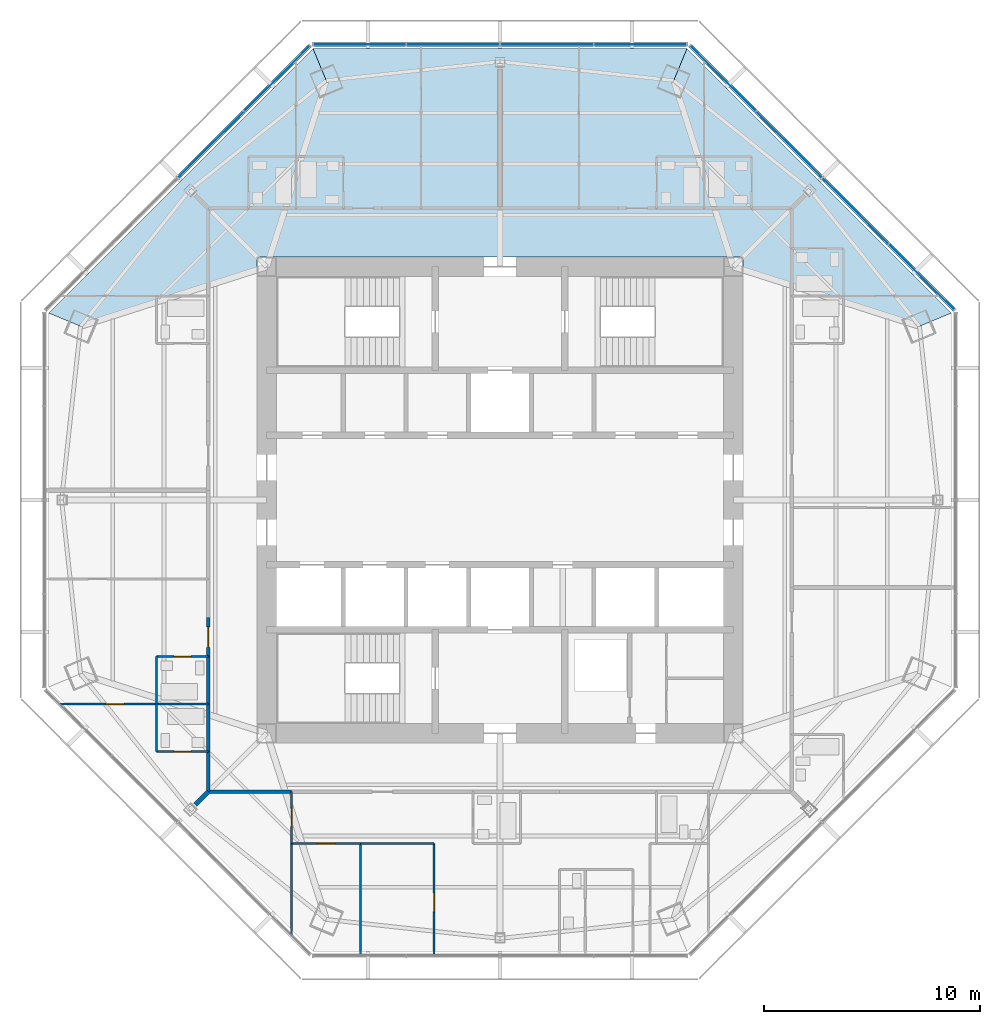
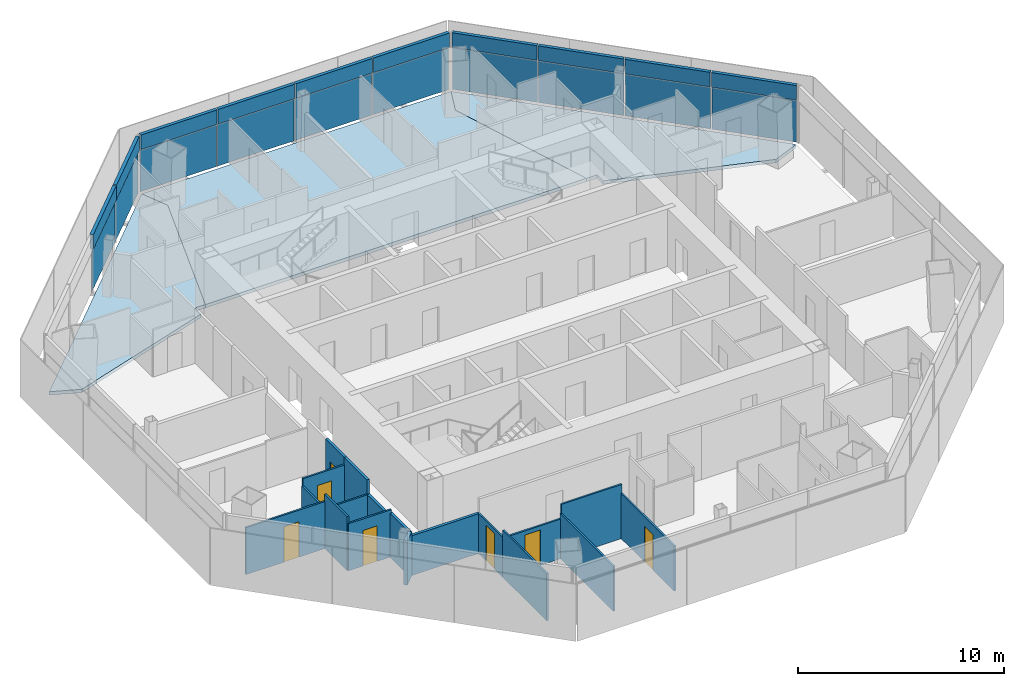
# One storey, part 8 of 14: 20 plates, 18 walls, 7 doors, 3 slabs, 7 openings, 3 elements without a shape of their own.
"""IFC4 building model written with IfcOpenShell, lengths in metres."""

from ifc_helpers import new_model, si_unit, direction, frame, frame_2d, origin, origin_2d, place, context, subcontext, project, spatial, polyline, rectangle, outline, extrude, source, transform, mapped, material, layer, layer_set, type_object, type_shapes, element, fill, aggregate, save


model = new_model("IFC4")

# Units and contexts
model_context = context("Model", 3, precision=1e-05, world=origin(), true_north=direction((0.0, 1.0)))
body_context = subcontext(model_context, "Body", "Model", "MODEL_VIEW")
ifc_project = project(units=[si_unit("LENGTHUNIT", "METRE"), si_unit("AREAUNIT", "SQUARE_METRE"), si_unit("VOLUMEUNIT", "CUBIC_METRE"), si_unit("PLANEANGLEUNIT", "RADIAN"), si_unit("MASSUNIT", "GRAM", prefix="KILO")], contexts=[model_context])

# Site, building, storey
site_placement = place(None, origin())
site = spatial("IfcSite", under=ifc_project, at=site_placement, CompositionType="ELEMENT")
building_placement = place(site_placement, origin())
building = spatial("IfcBuilding", under=site, at=building_placement, Name="Mashrafa Tower", CompositionType="ELEMENT")
storey_placement = place(building_placement, frame((0.0, 0.0, 244.800048828125)))
storey = spatial("IfcBuildingStorey", under=building, at=storey_placement, Name="L58", CompositionType="ELEMENT", Elevation=244.800048828125)

# Slabs
ifc_material_1 = material(Name="Concrete C35/45", Category="concrete")
ifc_layer_1 = layer(ifc_material_1, 0.199951171875)
ifc_layer_set_1 = layer_set([ifc_layer_1], Name="Floor slab 200")
slab_type = type_object("IfcSlabType", Name="Floor slab 200", PredefinedType="FLOOR", material=ifc_layer_set_1)
slab_1_placement = place(storey_placement, frame((0.0, 0.0, -0.199951171875)))
element("IfcSlab", 1, at=slab_1_placement, inside=storey, type_object=slab_type, Name="Floor slab L58 north-east bay", PredefinedType="FLOOR", context=body_context, shape_type="SweptSolid", body=[
    extrude(outline(polyline([(8.65283203125, 20.8896484375), (20.8896484375, 8.65283203125), (20.8896484375, 8.65283203125), (19.4169921875, 8.042724609375), (11.25, 10.656005859375), (11.25, 11.25), (10.656005859375, 11.25), (8.042724609375, 19.4169921875), (8.65283203125, 20.8896484375), (8.65283203125, 20.8896484375)])), origin(), (0.0, 0.0, 1.0), 0.199951171875),
])
slab_2_placement = place(storey_placement, frame((0.0, 0.0, -0.199951171875)))
element("IfcSlab", 2, at=slab_2_placement, inside=storey, type_object=slab_type, Name="Floor slab L58 north bay", PredefinedType="FLOOR", context=body_context, shape_type="SweptSolid", body=[
    extrude(outline(polyline([(8.65283203125, 20.8896484375), (8.042724609375, 19.4169921875), (10.656005859375, 11.25), (-10.656005859375, 11.25), (-8.042724609375, 19.4169921875), (-8.65283203125, 20.8896484375), (8.65283203125, 20.8896484375)])), origin(), (0.0, 0.0, 1.0), 0.199951171875),
])
slab_3_placement = place(storey_placement, frame((0.0, 0.0, -0.199951171875)))
element("IfcSlab", 3, at=slab_3_placement, inside=storey, type_object=slab_type, Name="Floor slab L58 north-west bay", PredefinedType="FLOOR", context=body_context, shape_type="SweptSolid", body=[
    extrude(outline(polyline([(-20.8896484375, 8.65283203125), (-8.65283203125, 20.8896484375), (-8.65283203125, 20.8896484375), (-8.042724609375, 19.4169921875), (-10.656005859375, 11.25), (-11.25, 11.25), (-11.25, 10.656005859375), (-19.4169921875, 8.042724609375), (-20.8896484375, 8.65283203125), (-20.8896484375, 8.65283203125)])), origin(), (0.0, 0.0, 1.0), 0.199951171875),
])

# Curtain wall, plates
ifc_material_2 = material(Name="Unitised aluminium curtain wall", Category="aluminium")
curtain_wall_type = type_object("IfcCurtainWallType", Name="Apartment curtain wall, zone 3 CW-C 180 deep", PredefinedType="NOTDEFINED", material=ifc_material_2)
curtain_wall_1_placement = place(storey_placement, origin())
curtain_wall_1 = element("IfcCurtainWall", 4, at=curtain_wall_1_placement, inside=storey, type_object=curtain_wall_type, Name="Apartment curtain wall, zone 3 L58 north-east", PredefinedType="NOTDEFINED")
ifc_material_3 = material(Name="Insulated double glazing, acoustic", Category="glass")
ifc_layer_2 = layer(ifc_material_3, 0.028076171875)
ifc_layer_set_2 = layer_set([ifc_layer_2], Name="Vision panel CW-C 28")
plate_type_1 = type_object("IfcPlateType", Name="Vision panel CW-C 28", PredefinedType="CURTAIN_PANEL", material=ifc_layer_set_2)
shared_shape_1 = source(origin(), body_context, "Body", "SweptSolid", [
    extrude(rectangle(XDim=4.254150390625, YDim=0.028076171875, at=origin_2d()), origin(), (0.0, 0.0, 1.0), 2.46240234375),
])
plate_1_placement = place(storey_placement, frame((19.509765625, 10.315673828125, 0.0), z_axis=(0.0, 0.0, 1.0), x_axis=(-0.707106781187, 0.707106781187, 0.0)))
plate_1 = element("IfcPlate", 5, at=plate_1_placement, type_object=plate_type_1, Name="CW-C vision panel 1", PredefinedType="CURTAIN_PANEL", context=body_context, shape_type="MappedRepresentation", body=[
    mapped(shared_shape_1, transform((0.0, 0.0, 0.0))),
])
plate_2_placement = place(storey_placement, frame((10.315673828125, 19.509765625, 0.0), z_axis=(0.0, 0.0, 1.0), x_axis=(-0.707106781187, 0.707106781187, 0.0)))
plate_2 = element("IfcPlate", 6, at=plate_2_placement, type_object=plate_type_1, Name="CW-C vision panel 4", PredefinedType="CURTAIN_PANEL", context=body_context, shape_type="MappedRepresentation", body=[
    mapped(shared_shape_1, transform((0.0, 0.0, 0.0))),
])

curtain_wall_2_placement = place(storey_placement, origin())
curtain_wall_2 = element("IfcCurtainWall", 7, at=curtain_wall_2_placement, inside=storey, type_object=curtain_wall_type, Name="Apartment curtain wall, zone 3 L58 north", PredefinedType="NOTDEFINED")
plate_3_placement = place(storey_placement, frame((6.501220703125, 21.089599609375, 0.0), z_axis=(0.0, 0.0, 1.0), x_axis=(-1.0, 0.0, 0.0)))
plate_3 = element("IfcPlate", 8, at=plate_3_placement, type_object=plate_type_1, Name="CW-C vision panel 1", PredefinedType="CURTAIN_PANEL", context=body_context, shape_type="MappedRepresentation", body=[
    mapped(shared_shape_1, transform((0.0, 0.0, 0.0))),
])
plate_4_placement = place(storey_placement, frame((-6.501220703125, 21.089599609375, 0.0), z_axis=(0.0, 0.0, 1.0), x_axis=(-1.0, 0.0, 0.0)))
plate_4 = element("IfcPlate", 9, at=plate_4_placement, type_object=plate_type_1, Name="CW-C vision panel 4", PredefinedType="CURTAIN_PANEL", context=body_context, shape_type="MappedRepresentation", body=[
    mapped(shared_shape_1, transform((0.0, 0.0, 0.0))),
])

# Curtain wall, plate
curtain_wall_3_placement = place(storey_placement, origin())
curtain_wall_3 = element("IfcCurtainWall", 10, at=curtain_wall_3_placement, inside=storey, type_object=curtain_wall_type, Name="Apartment curtain wall, zone 3 L58 north-west", PredefinedType="NOTDEFINED")
plate_5_placement = place(storey_placement, frame((-10.315673828125, 19.509765625, 0.0), z_axis=(0.0, 0.0, 1.0), x_axis=(-0.707106781187, -0.707106781187, 0.0)))
plate_5 = element("IfcPlate", 11, at=plate_5_placement, type_object=plate_type_1, Name="CW-C vision panel 1", PredefinedType="CURTAIN_PANEL", context=body_context, shape_type="MappedRepresentation", body=[
    mapped(shared_shape_1, transform((0.0, 0.0, 0.0))),
])

# Plate
ifc_material_4 = material(Name="Insulated bronze aluminium spandrel panel", Category="aluminium")
ifc_layer_3 = layer(ifc_material_4, 0.179931640625)
ifc_layer_set_3 = layer_set([ifc_layer_3], Name="Spandrel panel CW-C 180")
plate_type_2 = type_object("IfcPlateType", Name="Spandrel panel CW-C 180", PredefinedType="CURTAIN_PANEL", material=ifc_layer_set_3)
shared_shape_2 = source(origin(), body_context, "Body", "SweptSolid", [
    extrude(rectangle(XDim=4.254150390625, YDim=0.179931640625, at=origin_2d()), origin(), (0.0, 0.0, 1.0), 0.862548828125),
])
plate_6_placement = place(storey_placement, frame((19.509765625, 10.315673828125, 2.53759765625), z_axis=(0.0, 0.0, 1.0), x_axis=(-0.707106781187, 0.707106781187, 0.0)))
plate_6 = element("IfcPlate", 12, at=plate_6_placement, type_object=plate_type_2, Name="CW-C spandrel panel 1", PredefinedType="CURTAIN_PANEL", context=body_context, shape_type="MappedRepresentation", body=[
    mapped(shared_shape_2, transform((0.0, 0.0, 0.0))),
])

plate_7_placement = place(storey_placement, frame((10.315673828125, 19.509765625, 2.53759765625), z_axis=(0.0, 0.0, 1.0), x_axis=(-0.707106781187, 0.707106781187, 0.0)))
plate_7 = element("IfcPlate", 13, at=plate_7_placement, type_object=plate_type_2, Name="CW-C spandrel panel 4", PredefinedType="CURTAIN_PANEL", context=body_context, shape_type="MappedRepresentation", body=[
    mapped(shared_shape_2, transform((0.0, 0.0, 0.0))),
])

plate_8_placement = place(storey_placement, frame((6.501220703125, 21.089599609375, 2.53759765625), z_axis=(0.0, 0.0, 1.0), x_axis=(-1.0, 0.0, 0.0)))
plate_8 = element("IfcPlate", 14, at=plate_8_placement, type_object=plate_type_2, Name="CW-C spandrel panel 1", PredefinedType="CURTAIN_PANEL", context=body_context, shape_type="MappedRepresentation", body=[
    mapped(shared_shape_2, transform((0.0, 0.0, 0.0))),
])

plate_9_placement = place(storey_placement, frame((-6.501220703125, 21.089599609375, 2.53759765625), z_axis=(0.0, 0.0, 1.0), x_axis=(-1.0, 0.0, 0.0)))
plate_9 = element("IfcPlate", 15, at=plate_9_placement, type_object=plate_type_2, Name="CW-C spandrel panel 4", PredefinedType="CURTAIN_PANEL", context=body_context, shape_type="MappedRepresentation", body=[
    mapped(shared_shape_2, transform((0.0, 0.0, 0.0))),
])

plate_10_placement = place(storey_placement, frame((-10.315673828125, 19.509765625, 2.53759765625), z_axis=(0.0, 0.0, 1.0), x_axis=(-0.707106781187, -0.707106781187, 0.0)))
plate_10 = element("IfcPlate", 16, at=plate_10_placement, type_object=plate_type_2, Name="CW-C spandrel panel 1", PredefinedType="CURTAIN_PANEL", context=body_context, shape_type="MappedRepresentation", body=[
    mapped(shared_shape_2, transform((0.0, 0.0, 0.0))),
])

shared_shape_3 = source(origin(), body_context, "Body", "SweptSolid", [
    extrude(rectangle(XDim=4.2841796875, YDim=0.028076171875, at=origin_2d()), origin(), (0.0, 0.0, 1.0), 2.46240234375),
])
type_shapes(plate_type_1, [shared_shape_1, shared_shape_3])
plate_11_placement = place(storey_placement, frame((16.448486328125, 13.376708984375, 0.0), z_axis=(0.0, 0.0, 1.0), x_axis=(-0.707106781187, 0.707106781187, 0.0)))
plate_11 = element("IfcPlate", 17, at=plate_11_placement, type_object=plate_type_1, Name="CW-C vision panel 2", PredefinedType="CURTAIN_PANEL", context=body_context, shape_type="MappedRepresentation", body=[
    mapped(shared_shape_3, transform((0.0, 0.0, 0.0))),
])

plate_12_placement = place(storey_placement, frame((13.376708984375, 16.448486328125, 0.0), z_axis=(0.0, 0.0, 1.0), x_axis=(-0.707106781187, 0.707106781187, 0.0)))
plate_12 = element("IfcPlate", 18, at=plate_12_placement, type_object=plate_type_1, Name="CW-C vision panel 3", PredefinedType="CURTAIN_PANEL", context=body_context, shape_type="MappedRepresentation", body=[
    mapped(shared_shape_3, transform((0.0, 0.0, 0.0))),
])

plate_13_placement = place(storey_placement, frame((2.172119140625, 21.089599609375, 0.0), z_axis=(0.0, 0.0, 1.0), x_axis=(-1.0, 0.0, 0.0)))
plate_13 = element("IfcPlate", 19, at=plate_13_placement, type_object=plate_type_1, Name="CW-C vision panel 2", PredefinedType="CURTAIN_PANEL", context=body_context, shape_type="MappedRepresentation", body=[
    mapped(shared_shape_3, transform((0.0, 0.0, 0.0))),
])

plate_14_placement = place(storey_placement, frame((-2.172119140625, 21.089599609375, 0.0), z_axis=(0.0, 0.0, 1.0), x_axis=(-1.0, 0.0, 0.0)))
plate_14 = element("IfcPlate", 20, at=plate_14_placement, type_object=plate_type_1, Name="CW-C vision panel 3", PredefinedType="CURTAIN_PANEL", context=body_context, shape_type="MappedRepresentation", body=[
    mapped(shared_shape_3, transform((0.0, 0.0, 0.0))),
])

plate_15_placement = place(storey_placement, frame((-13.376708984375, 16.448486328125, 0.0), z_axis=(0.0, 0.0, 1.0), x_axis=(-0.707106781187, -0.707106781187, 0.0)))
plate_15 = element("IfcPlate", 21, at=plate_15_placement, type_object=plate_type_1, Name="CW-C vision panel 2", PredefinedType="CURTAIN_PANEL", context=body_context, shape_type="MappedRepresentation", body=[
    mapped(shared_shape_3, transform((0.0, 0.0, 0.0))),
])

shared_shape_4 = source(origin(), body_context, "Body", "SweptSolid", [
    extrude(rectangle(XDim=4.2841796875, YDim=0.179931640625, at=origin_2d()), origin(), (0.0, 0.0, 1.0), 0.862548828125),
])
type_shapes(plate_type_2, [shared_shape_2, shared_shape_4])
plate_16_placement = place(storey_placement, frame((16.448486328125, 13.376708984375, 2.53759765625), z_axis=(0.0, 0.0, 1.0), x_axis=(-0.707106781187, 0.707106781187, 0.0)))
plate_16 = element("IfcPlate", 22, at=plate_16_placement, type_object=plate_type_2, Name="CW-C spandrel panel 2", PredefinedType="CURTAIN_PANEL", context=body_context, shape_type="MappedRepresentation", body=[
    mapped(shared_shape_4, transform((0.0, 0.0, 0.0))),
])

plate_17_placement = place(storey_placement, frame((13.376708984375, 16.448486328125, 2.53759765625), z_axis=(0.0, 0.0, 1.0), x_axis=(-0.707106781187, 0.707106781187, 0.0)))
plate_17 = element("IfcPlate", 23, at=plate_17_placement, type_object=plate_type_2, Name="CW-C spandrel panel 3", PredefinedType="CURTAIN_PANEL", context=body_context, shape_type="MappedRepresentation", body=[
    mapped(shared_shape_4, transform((0.0, 0.0, 0.0))),
])

aggregate(curtain_wall_1, [plate_1, plate_6, plate_11, plate_16, plate_12, plate_17, plate_2, plate_7])

plate_18_placement = place(storey_placement, frame((2.172119140625, 21.089599609375, 2.53759765625), z_axis=(0.0, 0.0, 1.0), x_axis=(-1.0, 0.0, 0.0)))
plate_18 = element("IfcPlate", 24, at=plate_18_placement, type_object=plate_type_2, Name="CW-C spandrel panel 2", PredefinedType="CURTAIN_PANEL", context=body_context, shape_type="MappedRepresentation", body=[
    mapped(shared_shape_4, transform((0.0, 0.0, 0.0))),
])

plate_19_placement = place(storey_placement, frame((-2.172119140625, 21.089599609375, 2.53759765625), z_axis=(0.0, 0.0, 1.0), x_axis=(-1.0, 0.0, 0.0)))
plate_19 = element("IfcPlate", 25, at=plate_19_placement, type_object=plate_type_2, Name="CW-C spandrel panel 3", PredefinedType="CURTAIN_PANEL", context=body_context, shape_type="MappedRepresentation", body=[
    mapped(shared_shape_4, transform((0.0, 0.0, 0.0))),
])

aggregate(curtain_wall_2, [plate_3, plate_8, plate_13, plate_18, plate_14, plate_19, plate_4, plate_9])

plate_20_placement = place(storey_placement, frame((-13.376708984375, 16.448486328125, 2.53759765625), z_axis=(0.0, 0.0, 1.0), x_axis=(-0.707106781187, -0.707106781187, 0.0)))
plate_20 = element("IfcPlate", 26, at=plate_20_placement, type_object=plate_type_2, Name="CW-C spandrel panel 2", PredefinedType="CURTAIN_PANEL", context=body_context, shape_type="MappedRepresentation", body=[
    mapped(shared_shape_4, transform((0.0, 0.0, 0.0))),
])

aggregate(curtain_wall_3, [plate_5, plate_10, plate_15, plate_20])

# Walls
ifc_material_5 = material(Name="Gypsum board on steel studs", Category="steel")
ifc_layer_4 = layer(ifc_material_5, 0.199951171875)
ifc_layer_set_4 = layer_set([ifc_layer_4], Name="Acoustic partition 200 1 hr")
wall_type_1 = type_object("IfcWallType", Name="Acoustic partition 200 1 hr", PredefinedType="PARTITIONING", material=ifc_layer_set_4)
wall_1_placement = place(storey_placement, frame((-14.1064453125, -14.1064453125, 0.0), z_axis=(0.0, 0.0, 1.0), x_axis=(0.707106781187, 0.707106781187, 0.0)))
element("IfcWall", 27, at=wall_1_placement, inside=storey, type_object=wall_type_1, Name="Acoustic wall L58-081", PredefinedType="PARTITIONING", context=body_context, shape_type="SweptSolid", body=[
    extrude(rectangle(XDim=0.857666015625, YDim=0.199951171875, at=frame_2d((0.4287109375, 0.0))), origin(), (0.0, 0.0, 1.0), 2.587890625),
])
ifc_material_6 = material(Name="Gypsum board on steel studs", Category="steel")
ifc_layer_5 = layer(ifc_material_6, 0.14990234375)
ifc_layer_set_5 = layer_set([ifc_layer_5], Name="Corridor partition 150 1 hr")
wall_type_2 = type_object("IfcWallType", Name="Corridor partition 150 1 hr", PredefinedType="PARTITIONING", material=ifc_layer_set_5)
wall_2_placement = place(storey_placement, frame((-13.5, -9.448974609375, 0.0), z_axis=(0.0, 0.0, 1.0), x_axis=(0.0, -1.0, 0.0)))
element("IfcWall", 28, at=wall_2_placement, inside=storey, type_object=wall_type_2, Name="Corridor wall L58-029", PredefinedType="PARTITIONING", context=body_context, shape_type="SweptSolid", body=[
    extrude(rectangle(XDim=2.201904296875, YDim=0.14990234375, at=frame_2d((1.10107421875, 0.0))), origin(), (0.0, 0.0, 1.0), 2.349365234375),
])
wall_3_placement = place(storey_placement, frame((-13.5, -11.64892578125, 0.0), z_axis=(0.0, 0.0, 1.0), x_axis=(0.0, -1.0, 0.0)))
element("IfcWall", 29, at=wall_3_placement, inside=storey, type_object=wall_type_2, Name="Corridor wall L58-030", PredefinedType="PARTITIONING", context=body_context, shape_type="SweptSolid", body=[
    extrude(rectangle(XDim=1.85107421875, YDim=0.14990234375, at=frame_2d((0.925537109375, 0.0))), origin(), (0.0, 0.0, 1.0), 2.587890625),
])
wall_4_placement = place(storey_placement, frame((-13.5, -7.2490234375, 0.0), z_axis=(0.0, 0.0, 1.0), x_axis=(0.0, -1.0, 0.0)))
element("IfcWall", 30, at=wall_4_placement, inside=storey, type_object=wall_type_2, Name="Corridor wall L58-031", PredefinedType="PARTITIONING", context=body_context, shape_type="SweptSolid", body=[
    extrude(rectangle(XDim=2.201904296875, YDim=0.14990234375, at=frame_2d((1.10107421875, 0.0))), origin(), (0.0, 0.0, 1.0), 3.199951171875),
])

# Wall, opening, door
wall_5_placement = place(storey_placement, frame((-13.5, -5.448974609375, 0.0), z_axis=(0.0, 0.0, 1.0), x_axis=(0.0, -1.0, 0.0)))
wall_5 = element("IfcWall", 31, at=wall_5_placement, inside=storey, type_object=wall_type_2, Name="Corridor wall L58-034", PredefinedType="PARTITIONING", context=body_context, shape_type="SweptSolid", body=[
    extrude(rectangle(XDim=1.802001953125, YDim=0.14990234375, at=frame_2d((0.90087890625, 0.0))), origin(), (0.0, 0.0, 1.0), 3.199951171875),
])
opening_1_placement = place(wall_5_placement, frame((0.426025390625, 0.0, 0.0)))
opening_1 = element("IfcOpeningElement", 32, at=opening_1_placement, cuts=wall_5, Name="Opening 58.025", PredefinedType="OPENING", context=body_context, shape_type="SweptSolid", body=[
    extrude(rectangle(XDim=0.949951171875, YDim=2.10009765625, at=frame_2d((0.47509765625, 1.050048828125))), frame((0.0, 0.0849609375, 0.0), z_axis=(0.0, -1.0, 0.0), x_axis=(1.0, 0.0, 0.0)), (0.0, 0.0, 1.0), 0.169921875),
])
ifc_material_7 = material(Name="Steel door", Category="steel")
door_type_1 = type_object("IfcDoorType", Name="Residence entrance door 950 x 2100 20 min", OperationType="USERDEFINED", PredefinedType="DOOR", material=ifc_material_7)
door_1_placement = place(opening_1_placement, frame((0.949951171875, 0.0, 0.0), z_axis=(0.0, 0.0, 1.0), x_axis=(-1.0, 0.0, 0.0)))
door_1 = element("IfcDoor", 33, at=door_1_placement, inside=storey, type_object=door_type_1, Name="Apartment 5806 Living Room door", OperationType="SINGLE_SWING_RIGHT", OverallHeight=2.10009765625, OverallWidth=0.949951171875, PredefinedType="DOOR", context=body_context, shape_type="SweptSolid", body=[
    extrude(rectangle(XDim=0.949951171875, YDim=2.10009765625, at=frame_2d((0.47509765625, 1.050048828125))), frame((0.0, 0.02490234375, 0.0), z_axis=(0.0, -1.0, 0.0), x_axis=(1.0, 0.0, 0.0)), (0.0, 0.0, 1.0), 0.050048828125),
])
fill(opening_1, door_1)

# Walls
wall_6_placement = place(storey_placement, frame((-13.5, -13.5, 0.0), z_axis=(0.0, 0.0, 1.0), x_axis=(1.0, 0.0, 0.0)))
element("IfcWall", 34, at=wall_6_placement, inside=storey, type_object=wall_type_2, Name="Corridor wall L58-035", PredefinedType="PARTITIONING", context=body_context, shape_type="SweptSolid", body=[
    extrude(rectangle(XDim=3.85107421875, YDim=0.14990234375, at=frame_2d((1.925537109375, 0.0))), origin(), (0.0, 0.0, 1.0), 2.349365234375),
])
ifc_material_8 = material(Name="Gypsum board on steel studs", Category="steel")
ifc_layer_6 = layer(ifc_material_8, 0.10009765625)
ifc_layer_set_6 = layer_set([ifc_layer_6], Name="Partition 100")
wall_type_3 = type_object("IfcWallType", Name="Partition 100", PredefinedType="PARTITIONING", material=ifc_layer_set_6)
wall_7_placement = place(storey_placement, frame((-15.89990234375, -9.449951171875, 0.0), z_axis=(0.0, 0.0, 1.0), x_axis=(0.0, -1.0, 0.0)))
element("IfcWall", 35, at=wall_7_placement, inside=storey, type_object=wall_type_3, Name="Partition wall L58-077", PredefinedType="PARTITIONING", context=body_context, shape_type="SweptSolid", body=[
    extrude(rectangle(XDim=2.199951171875, YDim=0.10009765625, at=frame_2d((1.10009765625, 0.0))), origin(), (0.0, 0.0, 1.0), 3.199951171875),
])

# Wall, opening, door
wall_8_placement = place(storey_placement, frame((-15.89990234375, -11.64990234375, 0.0), z_axis=(0.0, 0.0, 1.0), x_axis=(1.0, 0.0, 0.0)))
wall_8 = element("IfcWall", 36, at=wall_8_placement, inside=storey, type_object=wall_type_3, Name="Partition wall L58-078", PredefinedType="PARTITIONING", context=body_context, shape_type="SweptSolid", body=[
    extrude(rectangle(XDim=2.39990234375, YDim=0.10009765625, at=frame_2d((1.199951171875, 0.0))), origin(), (0.0, 0.0, 1.0), 2.7861328125),
])
opening_2_placement = place(wall_8_placement, frame((0.800048828125, 0.0, 0.0)))
opening_2 = element("IfcOpeningElement", 37, at=opening_2_placement, cuts=wall_8, Name="Opening 58.021", PredefinedType="OPENING", context=body_context, shape_type="SweptSolid", body=[
    extrude(rectangle(XDim=0.800048828125, YDim=2.10009765625, at=frame_2d((0.39990234375, 1.050048828125))), frame((0.0, 0.06005859375, 0.0), z_axis=(0.0, -1.0, 0.0), x_axis=(1.0, 0.0, 0.0)), (0.0, 0.0, 1.0), 0.1201171875),
])
ifc_material_9 = material(Name="Timber door", Category="wood")
door_type_2 = type_object("IfcDoorType", Name="Bathroom door 800 x 2100", OperationType="USERDEFINED", PredefinedType="DOOR", material=ifc_material_9)
door_2_placement = place(opening_2_placement, origin())
door_2 = element("IfcDoor", 38, at=door_2_placement, inside=storey, type_object=door_type_2, Name="Apartment 5806 En-suite Bathroom door", OperationType="SINGLE_SWING_LEFT", OverallHeight=2.10009765625, OverallWidth=0.800048828125, PredefinedType="DOOR", context=body_context, shape_type="SweptSolid", body=[
    extrude(rectangle(XDim=0.800048828125, YDim=2.10009765625, at=frame_2d((0.39990234375, 1.050048828125))), frame((0.0, 0.02490234375, 0.0), z_axis=(0.0, -1.0, 0.0), x_axis=(1.0, 0.0, 0.0)), (0.0, 0.0, 1.0), 0.050048828125),
])
fill(opening_2, door_2)

# Wall
wall_9_placement = place(storey_placement, frame((-13.5, -9.449951171875, 0.0), z_axis=(0.0, 0.0, 1.0), x_axis=(-1.0, 0.0, 0.0)))
element("IfcWall", 39, at=wall_9_placement, inside=storey, type_object=wall_type_3, Name="Partition wall L58-079", PredefinedType="PARTITIONING", context=body_context, shape_type="SweptSolid", body=[
    extrude(rectangle(XDim=2.39990234375, YDim=0.10009765625, at=frame_2d((1.199951171875, 0.0))), origin(), (0.0, 0.0, 1.0), 2.349365234375),
])

# Wall, opening, door
wall_10_placement = place(storey_placement, frame((-15.89990234375, -9.449951171875, 0.0), z_axis=(0.0, 0.0, 1.0), x_axis=(-1.0, 0.0, 0.0)))
wall_10 = element("IfcWall", 40, at=wall_10_placement, inside=storey, type_object=wall_type_3, Name="Partition wall L58-080", PredefinedType="PARTITIONING", context=body_context, shape_type="SweptSolid", body=[
    extrude(rectangle(XDim=4.45361328125, YDim=0.10009765625, at=frame_2d((2.226806640625, 0.0))), origin(), (0.0, 0.0, 1.0), 2.783447265625),
])
opening_3_placement = place(wall_10_placement, frame((1.494384765625, 0.0, 0.0)))
opening_3 = element("IfcOpeningElement", 41, at=opening_3_placement, cuts=wall_10, Name="Opening 58.022", PredefinedType="OPENING", context=body_context, shape_type="SweptSolid", body=[
    extrude(rectangle(XDim=0.85009765625, YDim=2.10009765625, at=frame_2d((0.425048828125, 1.050048828125))), frame((0.0, 0.06005859375, 0.0), z_axis=(0.0, -1.0, 0.0), x_axis=(1.0, 0.0, 0.0)), (0.0, 0.0, 1.0), 0.1201171875),
])
ifc_material_10 = material(Name="Timber door", Category="wood")
door_type_3 = type_object("IfcDoorType", Name="Bedroom door 850 x 2100", OperationType="USERDEFINED", PredefinedType="DOOR", material=ifc_material_10)
door_3_placement = place(opening_3_placement, origin())
door_3 = element("IfcDoor", 42, at=door_3_placement, inside=storey, type_object=door_type_3, Name="Apartment 5806 Bedroom 1 door", OperationType="SINGLE_SWING_RIGHT", OverallHeight=2.10009765625, OverallWidth=0.85009765625, PredefinedType="DOOR", context=body_context, shape_type="SweptSolid", body=[
    extrude(rectangle(XDim=0.85009765625, YDim=2.10009765625, at=frame_2d((0.425048828125, 1.050048828125))), frame((0.0, 0.02490234375, 0.0), z_axis=(0.0, -1.0, 0.0), x_axis=(1.0, 0.0, 0.0)), (0.0, 0.0, 1.0), 0.050048828125),
])
fill(opening_3, door_3)

wall_11_placement = place(storey_placement, frame((-13.5, -7.25, 0.0), z_axis=(0.0, 0.0, 1.0), x_axis=(-1.0, 0.0, 0.0)))
wall_11 = element("IfcWall", 43, at=wall_11_placement, inside=storey, type_object=wall_type_3, Name="Partition wall L58-082", PredefinedType="PARTITIONING", context=body_context, shape_type="SweptSolid", body=[
    extrude(rectangle(XDim=2.39990234375, YDim=0.10009765625, at=frame_2d((1.199951171875, 0.0))), origin(), (0.0, 0.0, 1.0), 2.783447265625),
])
opening_4_placement = place(wall_11_placement, frame((0.800048828125, 0.0, 0.0)))
opening_4 = element("IfcOpeningElement", 44, at=opening_4_placement, cuts=wall_11, Name="Opening 58.023", PredefinedType="OPENING", context=body_context, shape_type="SweptSolid", body=[
    extrude(rectangle(XDim=0.800048828125, YDim=2.10009765625, at=frame_2d((0.39990234375, 1.050048828125))), frame((0.0, 0.06005859375, 0.0), z_axis=(0.0, -1.0, 0.0), x_axis=(1.0, 0.0, 0.0)), (0.0, 0.0, 1.0), 0.1201171875),
])
door_4_placement = place(opening_4_placement, origin())
door_4 = element("IfcDoor", 45, at=door_4_placement, inside=storey, type_object=door_type_2, Name="Apartment 5806 Bathroom door", OperationType="SINGLE_SWING_RIGHT", OverallHeight=2.10009765625, OverallWidth=0.800048828125, PredefinedType="DOOR", context=body_context, shape_type="SweptSolid", body=[
    extrude(rectangle(XDim=0.800048828125, YDim=2.10009765625, at=frame_2d((0.39990234375, 1.050048828125))), frame((0.0, 0.02490234375, 0.0), z_axis=(0.0, -1.0, 0.0), x_axis=(1.0, 0.0, 0.0)), (0.0, 0.0, 1.0), 0.050048828125),
])
fill(opening_4, door_4)

# Walls
wall_12_placement = place(storey_placement, frame((-15.89990234375, -7.25, 0.0), z_axis=(0.0, 0.0, 1.0), x_axis=(0.0, -1.0, 0.0)))
element("IfcWall", 46, at=wall_12_placement, inside=storey, type_object=wall_type_3, Name="Partition wall L58-083", PredefinedType="PARTITIONING", context=body_context, shape_type="SweptSolid", body=[
    extrude(rectangle(XDim=2.199951171875, YDim=0.10009765625, at=frame_2d((1.10009765625, 0.0))), origin(), (0.0, 0.0, 1.0), 2.349365234375),
])
wall_13_placement = place(storey_placement, frame((-9.64990234375, -20.151611328125, 0.0), z_axis=(0.0, 0.0, 1.0), x_axis=(0.0, 1.0, 0.0)))
element("IfcWall", 47, at=wall_13_placement, inside=storey, type_object=wall_type_3, Name="Partition wall L58-086", PredefinedType="PARTITIONING", context=body_context, shape_type="SweptSolid", body=[
    extrude(rectangle(XDim=4.252685546875, YDim=0.10009765625, at=frame_2d((2.12646484375, 0.0))), origin(), (0.0, 0.0, 1.0), 2.783447265625),
])

# Wall, opening, door
wall_14_placement = place(storey_placement, frame((-9.64990234375, -15.90087890625, 0.0), z_axis=(0.0, 0.0, 1.0), x_axis=(0.0, 1.0, 0.0)))
wall_14 = element("IfcWall", 48, at=wall_14_placement, inside=storey, type_object=wall_type_3, Name="Partition wall L58-087", PredefinedType="PARTITIONING", context=body_context, shape_type="SweptSolid", body=[
    extrude(rectangle(XDim=2.40087890625, YDim=0.10009765625, at=frame_2d((1.200439453125, 0.0))), origin(), (0.0, 0.0, 1.0), 2.349365234375),
])
opening_5_placement = place(wall_14_placement, frame((0.775390625, 0.0, 0.0)))
opening_5 = element("IfcOpeningElement", 49, at=opening_5_placement, cuts=wall_14, Name="Opening 58.026", PredefinedType="OPENING", context=body_context, shape_type="SweptSolid", body=[
    extrude(rectangle(XDim=0.85009765625, YDim=2.10009765625, at=frame_2d((0.425048828125, 1.050048828125))), frame((0.0, 0.06005859375, 0.0), z_axis=(0.0, -1.0, 0.0), x_axis=(1.0, 0.0, 0.0)), (0.0, 0.0, 1.0), 0.1201171875),
])
door_5_placement = place(opening_5_placement, origin())
door_5 = element("IfcDoor", 50, at=door_5_placement, inside=storey, type_object=door_type_3, Name="Apartment 5807 Bedroom 1 door", OperationType="SINGLE_SWING_RIGHT", OverallHeight=2.10009765625, OverallWidth=0.85009765625, PredefinedType="DOOR", context=body_context, shape_type="SweptSolid", body=[
    extrude(rectangle(XDim=0.85009765625, YDim=2.10009765625, at=frame_2d((0.425048828125, 1.050048828125))), frame((0.0, 0.02490234375, 0.0), z_axis=(0.0, -1.0, 0.0), x_axis=(1.0, 0.0, 0.0)), (0.0, 0.0, 1.0), 0.050048828125),
])
fill(opening_5, door_5)

# Wall
wall_15_placement = place(storey_placement, frame((-6.449951171875, -21.07177734375, 0.0), z_axis=(0.0, 0.0, 1.0), x_axis=(0.0, 1.0, 0.0)))
element("IfcWall", 51, at=wall_15_placement, inside=storey, type_object=wall_type_3, Name="Partition wall L58-088", PredefinedType="PARTITIONING", context=body_context, shape_type="SweptSolid", body=[
    extrude(rectangle(XDim=5.171875, YDim=0.10009765625, at=frame_2d((2.5859375, 0.0))), origin(), (0.0, 0.0, 1.0), 2.66162109375),
])

# Wall, opening, door
wall_16_placement = place(storey_placement, frame((-6.449951171875, -15.89990234375, 0.0), z_axis=(0.0, 0.0, 1.0), x_axis=(-1.0, 0.0, 0.0)))
wall_16 = element("IfcWall", 52, at=wall_16_placement, inside=storey, type_object=wall_type_3, Name="Partition wall L58-089", PredefinedType="PARTITIONING", context=body_context, shape_type="SweptSolid", body=[
    extrude(rectangle(XDim=3.199951171875, YDim=0.10009765625, at=frame_2d((1.60009765625, 0.0))), origin(), (0.0, 0.0, 1.0), 2.349365234375),
])
opening_6_placement = place(wall_16_placement, frame((1.175048828125, 0.0, 0.0)))
opening_6 = element("IfcOpeningElement", 53, at=opening_6_placement, cuts=wall_16, Name="Opening 58.027", PredefinedType="OPENING", context=body_context, shape_type="SweptSolid", body=[
    extrude(rectangle(XDim=0.85009765625, YDim=2.10009765625, at=frame_2d((0.425048828125, 1.050048828125))), frame((0.0, 0.06005859375, 0.0), z_axis=(0.0, -1.0, 0.0), x_axis=(1.0, 0.0, 0.0)), (0.0, 0.0, 1.0), 0.1201171875),
])
door_6_placement = place(opening_6_placement, origin())
door_6 = element("IfcDoor", 54, at=door_6_placement, inside=storey, type_object=door_type_3, Name="Apartment 5807 Bedroom 2 door", OperationType="SINGLE_SWING_RIGHT", OverallHeight=2.10009765625, OverallWidth=0.85009765625, PredefinedType="DOOR", context=body_context, shape_type="SweptSolid", body=[
    extrude(rectangle(XDim=0.85009765625, YDim=2.10009765625, at=frame_2d((0.425048828125, 1.050048828125))), frame((0.0, 0.02490234375, 0.0), z_axis=(0.0, -1.0, 0.0), x_axis=(1.0, 0.0, 0.0)), (0.0, 0.0, 1.0), 0.050048828125),
])
fill(opening_6, door_6)

wall_17_placement = place(storey_placement, frame((-3.050048828125, -21.07373046875, 0.0), z_axis=(0.0, 0.0, 1.0), x_axis=(0.0, 1.0, 0.0)))
wall_17 = element("IfcWall", 55, at=wall_17_placement, inside=storey, type_object=wall_type_3, Name="Partition wall L58-090", PredefinedType="PARTITIONING", context=body_context, shape_type="SweptSolid", body=[
    extrude(rectangle(XDim=5.173828125, YDim=0.10009765625, at=frame_2d((2.5869140625, 0.0))), origin(), (0.0, 0.0, 1.0), 2.66162109375),
])
opening_7_placement = place(wall_17_placement, frame((2.023681640625, 0.0, 0.0)))
opening_7 = element("IfcOpeningElement", 56, at=opening_7_placement, cuts=wall_17, Name="Opening 58.028", PredefinedType="OPENING", context=body_context, shape_type="SweptSolid", body=[
    extrude(rectangle(XDim=0.85009765625, YDim=2.10009765625, at=frame_2d((0.425048828125, 1.050048828125))), frame((0.0, 0.06005859375, 0.0), z_axis=(0.0, -1.0, 0.0), x_axis=(1.0, 0.0, 0.0)), (0.0, 0.0, 1.0), 0.1201171875),
])
door_7_placement = place(opening_7_placement, origin())
door_7 = element("IfcDoor", 57, at=door_7_placement, inside=storey, type_object=door_type_3, Name="Apartment 5807 Majlis door", OperationType="SINGLE_SWING_LEFT", OverallHeight=2.10009765625, OverallWidth=0.85009765625, PredefinedType="DOOR", context=body_context, shape_type="SweptSolid", body=[
    extrude(rectangle(XDim=0.85009765625, YDim=2.10009765625, at=frame_2d((0.425048828125, 1.050048828125))), frame((0.0, 0.02490234375, 0.0), z_axis=(0.0, -1.0, 0.0), x_axis=(1.0, 0.0, 0.0)), (0.0, 0.0, 1.0), 0.050048828125),
])
fill(opening_7, door_7)

# Wall
wall_18_placement = place(storey_placement, frame((-3.050048828125, -15.89990234375, 0.0), z_axis=(0.0, 0.0, 1.0), x_axis=(-1.0, 0.0, 0.0)))
element("IfcWall", 58, at=wall_18_placement, inside=storey, type_object=wall_type_3, Name="Partition wall L58-091", PredefinedType="PARTITIONING", context=body_context, shape_type="SweptSolid", body=[
    extrude(rectangle(XDim=3.39990234375, YDim=0.10009765625, at=frame_2d((1.699951171875, 0.0))), origin(), (0.0, 0.0, 1.0), 3.199951171875),
])

save(model, "model.ifc")
